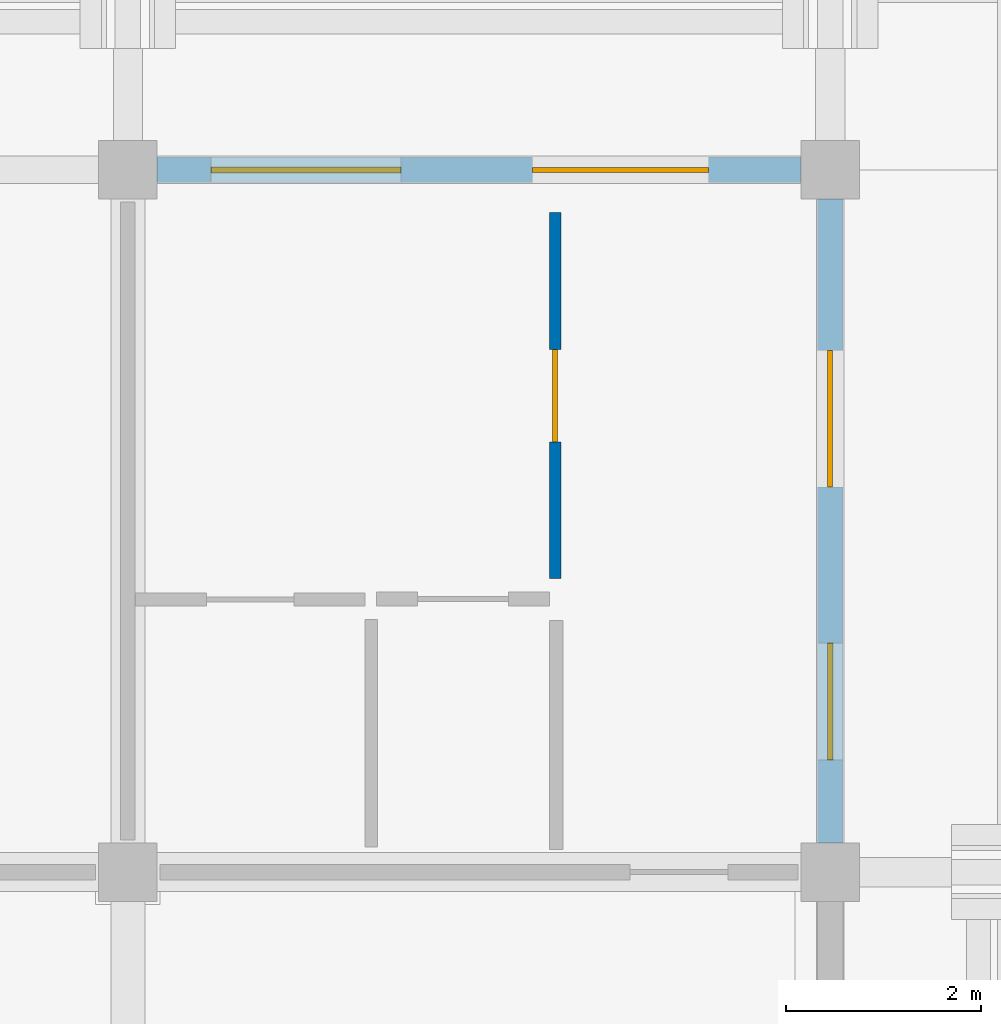
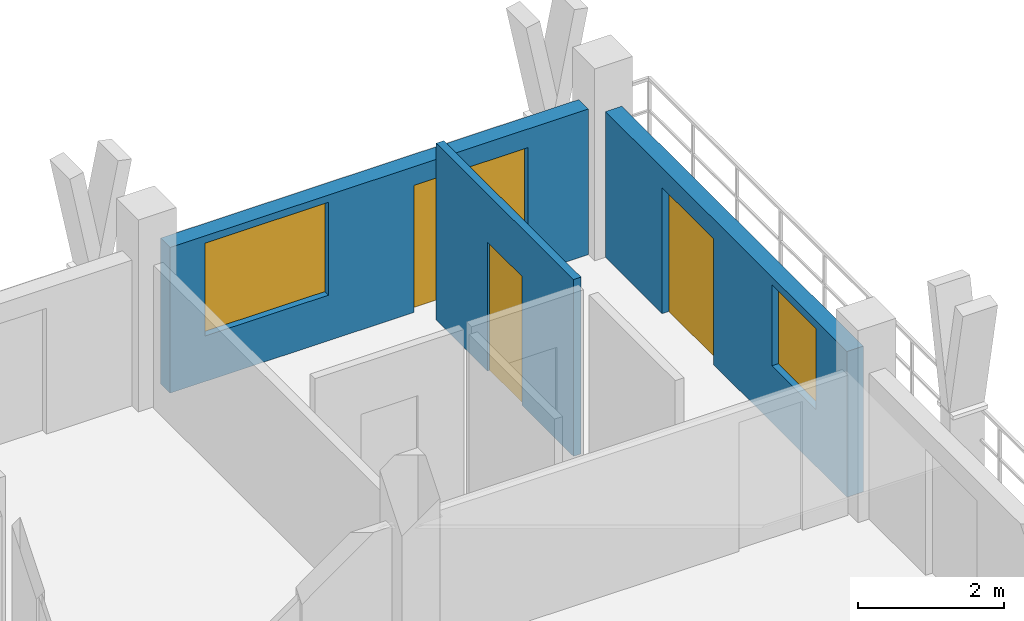
# One storey, part 61 of 78: 3 doors, 3 walls, 2 windows, 5 openings.
"""IFC4 building model written with IfcOpenShell, lengths in metres."""

from ifc_helpers import new_model, si_unit, direction, frame, frame_2d, origin, place, context, subcontext, project, spatial, rectangle, extrude, material, layer, layer_set, type_object, element, fill, save


model = new_model("IFC4")

# Units and contexts
model_context = context("Model", 3, precision=1e-05, world=origin(), true_north=direction((0.0, 1.0)))
body_context = subcontext(model_context, "Body", "Model", "MODEL_VIEW")
ifc_project = project(units=[si_unit("LENGTHUNIT", "METRE"), si_unit("AREAUNIT", "SQUARE_METRE"), si_unit("VOLUMEUNIT", "CUBIC_METRE"), si_unit("PLANEANGLEUNIT", "RADIAN"), si_unit("MASSUNIT", "GRAM", prefix="KILO")], contexts=[model_context])

# Site, building, storey
site_placement = place(None, origin())
site = spatial("IfcSite", under=ifc_project, at=site_placement, CompositionType="ELEMENT")
building_placement = place(site_placement, origin())
building = spatial("IfcBuilding", under=site, at=building_placement, Name="Suanplinth Sawtooth Commons", CompositionType="ELEMENT")
storey_placement = place(building_placement, frame((0.0, 0.0, 15.39990234375)))
storey = spatial("IfcBuildingStorey", under=building, at=storey_placement, Name="L04", CompositionType="ELEMENT", Elevation=15.39990234375)

# Wall, openings, door, window
ifc_material_1 = material(Name="Precast concrete C40/50", Category="concrete")
ifc_layer_1 = layer(ifc_material_1, 0.260009765625, Name="Insulated precast courtyard facade wall 260mm")
ifc_layer_set_1 = layer_set([ifc_layer_1], Name="Precast concrete C40/50")
wall_type_1 = type_object("IfcWallType", Name="W-EX02", PredefinedType="ELEMENTEDWALL", material=ifc_layer_set_1)
wall_1_placement = place(storey_placement, frame((180.300048828125, 122.39990234375, 0.0), z_axis=(0.0, 0.0, 1.0), x_axis=(1.0, 0.0, 0.0)))
wall_1 = element("IfcWall", 1, at=wall_1_placement, inside=storey, type_object=wall_type_1, Name="Facade Wall W-L04-B-N-25-16", PredefinedType="ELEMENTEDWALL", context=body_context, shape_type="SweptSolid", body=[
    extrude(rectangle(XDim=6.599853515625, YDim=0.260009765625, at=frame_2d((3.2998046875, 0.0))), origin(), (0.0, 0.0, 1.0), 2.43017578125),
])
opening_1_placement = place(wall_1_placement, frame((3.85009765625, 0.0, 0.0)))
opening_1 = element("IfcOpeningElement", 2, at=opening_1_placement, cuts=wall_1, Name="Opening ED0355", PredefinedType="OPENING", context=body_context, shape_type="SweptSolid", body=[
    extrude(rectangle(XDim=1.800048828125, YDim=2.1201171875, at=frame_2d((0.89990234375, 1.06005859375))), frame((0.0, 0.14501953125, 0.0), z_axis=(0.0, -1.0, 0.0), x_axis=(1.0, 0.0, 0.0)), (0.0, 0.0, 1.0), 0.289794921875),
])
opening_2_placement = place(wall_1_placement, frame((0.550048828125, 0.0, 0.760009765625)))
opening_2 = element("IfcOpeningElement", 3, at=opening_2_placement, cuts=wall_1, Name="Opening W0452", PredefinedType="OPENING", context=body_context, shape_type="SweptSolid", body=[
    extrude(rectangle(XDim=1.949951171875, YDim=1.550048828125, at=frame_2d((0.97509765625, 0.77490234375))), frame((0.0, 0.14501953125, 0.0), z_axis=(0.0, -1.0, 0.0), x_axis=(1.0, 0.0, 0.0)), (0.0, 0.0, 1.0), 0.289794921875),
])
ifc_material_2 = material(Name="Anodized aluminium and low-E glass", Category="aluminium")
door_type_1 = type_object("IfcDoorType", Name="SD-01", OperationType="SLIDING_TO_LEFT", PredefinedType="DOOR", material=ifc_material_2)
door_1_placement = place(opening_1_placement, frame((1.800048828125, 0.0, 0.0), z_axis=(0.0, 0.0, 1.0), x_axis=(-1.0, 0.0, 0.0)))
door_1 = element("IfcDoor", 4, at=door_1_placement, inside=storey, type_object=door_type_1, Name="Balcony Sliding Door L04-B-25", OperationType="SLIDING_TO_LEFT", OverallHeight=2.1201171875, OverallWidth=1.800048828125, PredefinedType="DOOR", context=body_context, shape_type="SweptSolid", body=[
    extrude(rectangle(XDim=1.800048828125, YDim=2.1201171875, at=frame_2d((0.89990234375, 1.06005859375))), frame((0.0, 0.02490234375, 0.0), z_axis=(0.0, -1.0, 0.0), x_axis=(1.0, 0.0, 0.0)), (0.0, 0.0, 1.0), 0.050048828125),
])
fill(opening_1, door_1)
ifc_material_3 = material(Name="Thermally broken aluminium and low-E double glazing", Category="aluminium")
window_type_1 = type_object("IfcWindowType", Name="WN-18", PartitioningType="DOUBLE_PANEL_VERTICAL", PredefinedType="WINDOW", material=ifc_material_3)
window_1_placement = place(opening_2_placement, origin())
window_1 = element("IfcWindow", 5, at=window_1_placement, inside=storey, type_object=window_type_1, Name="Apartment Window L04-B-25", OverallHeight=1.550048828125, OverallWidth=1.949951171875, PartitioningType="DOUBLE_PANEL_VERTICAL", PredefinedType="WINDOW", context=body_context, shape_type="SweptSolid", body=[
    extrude(rectangle(XDim=1.949951171875, YDim=1.550048828125, at=frame_2d((0.97509765625, 0.77490234375))), frame((0.0, 0.030029296875, 0.0), z_axis=(0.0, -1.0, 0.0), x_axis=(1.0, 0.0, 0.0)), (0.0, 0.0, 1.0), 0.06005859375),
])
fill(opening_2, window_1)

wall_2_placement = place(storey_placement, frame((187.199951171875, 115.5, 0.0), z_axis=(0.0, 0.0, 1.0), x_axis=(0.0, 1.0, 0.0)))
wall_2 = element("IfcWall", 6, at=wall_2_placement, inside=storey, type_object=wall_type_1, Name="Facade Wall W-L04-B-E-25-16", PredefinedType="ELEMENTEDWALL", context=body_context, shape_type="SweptSolid", body=[
    extrude(rectangle(XDim=6.60009765625, YDim=0.260009765625, at=frame_2d((3.300048828125, 0.0))), origin(), (0.0, 0.0, 1.0), 2.43017578125),
])
opening_3_placement = place(wall_2_placement, frame((3.64990234375, 0.0, 0.0)))
opening_3 = element("IfcOpeningElement", 7, at=opening_3_placement, cuts=wall_2, Name="Opening ED0356", PredefinedType="OPENING", context=body_context, shape_type="SweptSolid", body=[
    extrude(rectangle(XDim=1.39990234375, YDim=2.10009765625, at=frame_2d((0.699951171875, 1.050048828125))), frame((0.0, 0.14501953125, 0.0), z_axis=(0.0, -1.0, 0.0), x_axis=(1.0, 0.0, 0.0)), (0.0, 0.0, 1.0), 0.289794921875),
])
opening_4_placement = place(wall_2_placement, frame((0.85009765625, 0.0, 0.949951171875)))
opening_4 = element("IfcOpeningElement", 8, at=opening_4_placement, cuts=wall_2, Name="Opening W0453", PredefinedType="OPENING", context=body_context, shape_type="SweptSolid", body=[
    extrude(rectangle(XDim=1.199951171875, YDim=1.35009765625, at=frame_2d((0.60009765625, 0.675048828125))), frame((0.0, 0.14501953125, 0.0), z_axis=(0.0, -1.0, 0.0), x_axis=(1.0, 0.0, 0.0)), (0.0, 0.0, 1.0), 0.289794921875),
])
door_type_2 = type_object("IfcDoorType", Name="SD-07", OperationType="SLIDING_TO_RIGHT", PredefinedType="DOOR", material=ifc_material_2)
door_2_placement = place(opening_3_placement, frame((1.39990234375, 0.0, 0.0), z_axis=(0.0, 0.0, 1.0), x_axis=(-1.0, 0.0, 0.0)))
door_2 = element("IfcDoor", 9, at=door_2_placement, inside=storey, type_object=door_type_2, Name="End Balcony Sliding Door L04-B-E-25-16", OperationType="SLIDING_TO_RIGHT", OverallHeight=2.10009765625, OverallWidth=1.39990234375, PredefinedType="DOOR", context=body_context, shape_type="SweptSolid", body=[
    extrude(rectangle(XDim=1.39990234375, YDim=2.10009765625, at=frame_2d((0.699951171875, 1.050048828125))), frame((0.0, 0.02490234375, 0.0), z_axis=(0.0, -1.0, 0.0), x_axis=(1.0, 0.0, 0.0)), (0.0, 0.0, 1.0), 0.050048828125),
])
fill(opening_3, door_2)
window_type_2 = type_object("IfcWindowType", Name="WN-03", PartitioningType="SINGLE_PANEL", PredefinedType="WINDOW", material=ifc_material_3)
window_2_placement = place(opening_4_placement, origin())
window_2 = element("IfcWindow", 10, at=window_2_placement, inside=storey, type_object=window_type_2, Name="End Bedroom Window L04-B-25-16", OverallHeight=1.35009765625, OverallWidth=1.199951171875, PartitioningType="SINGLE_PANEL", PredefinedType="WINDOW", context=body_context, shape_type="SweptSolid", body=[
    extrude(rectangle(XDim=1.199951171875, YDim=1.35009765625, at=frame_2d((0.60009765625, 0.675048828125))), frame((0.0, 0.030029296875, 0.0), z_axis=(0.0, -1.0, 0.0), x_axis=(1.0, 0.0, 0.0)), (0.0, 0.0, 1.0), 0.06005859375),
])
fill(opening_4, window_2)

# Wall, opening, door
ifc_material_4 = material(Name="Gypsum plasterboard on steel stud", Category="steel")
ifc_layer_2 = layer(ifc_material_4, 0.1201171875, Name="Acoustic bedroom partition 120mm")
ifc_layer_set_2 = layer_set([ifc_layer_2], Name="Gypsum plasterboard on steel stud")
wall_type_2 = type_object("IfcWallType", Name="W-PT03", PredefinedType="PARTITIONING", material=ifc_layer_set_2)
wall_3_placement = place(storey_placement, frame((184.3798828125, 118.2099609375, 0.0), z_axis=(0.0, 0.0, 1.0), x_axis=(0.0, 1.0, 0.0)))
wall_3 = element("IfcWall", 11, at=wall_3_placement, inside=storey, type_object=wall_type_2, Name="W-B-L04-U07-BED1", PredefinedType="PARTITIONING", context=body_context, shape_type="SweptSolid", body=[
    extrude(rectangle(XDim=3.75, YDim=0.1201171875, at=frame_2d((1.875, 0.0))), origin(), (0.0, 0.0, 1.0), 2.9501953125),
])
opening_5_placement = place(wall_3_placement, frame((1.39990234375, 0.0, 0.0)))
opening_5 = element("IfcOpeningElement", 12, at=opening_5_placement, cuts=wall_3, Name="Opening D1118", PredefinedType="OPENING", context=body_context, shape_type="SweptSolid", body=[
    extrude(rectangle(XDim=0.949951171875, YDim=2.14990234375, at=frame_2d((0.47509765625, 1.074951171875))), frame((0.0, 0.074951171875, 0.0), z_axis=(0.0, -1.0, 0.0), x_axis=(1.0, 0.0, 0.0)), (0.0, 0.0, 1.0), 0.14990234375),
])
ifc_material_5 = material(Name="Teak hardwood", Category="wood")
door_type_3 = type_object("IfcDoorType", Name="D-03", OperationType="NOTDEFINED", PredefinedType="DOOR", material=ifc_material_5)
door_3_placement = place(opening_5_placement, origin())
door_3 = element("IfcDoor", 13, at=door_3_placement, inside=storey, type_object=door_type_3, Name="Bedroom Door D1118", OperationType="SINGLE_SWING_RIGHT", OverallHeight=2.14990234375, OverallWidth=0.949951171875, PredefinedType="DOOR", context=body_context, shape_type="SweptSolid", body=[
    extrude(rectangle(XDim=0.949951171875, YDim=2.14990234375, at=frame_2d((0.47509765625, 1.074951171875))), frame((0.0, 0.02490234375, 0.0), z_axis=(0.0, -1.0, 0.0), x_axis=(1.0, 0.0, 0.0)), (0.0, 0.0, 1.0), 0.050048828125),
])
fill(opening_5, door_3)

save(model, "model.ifc")
